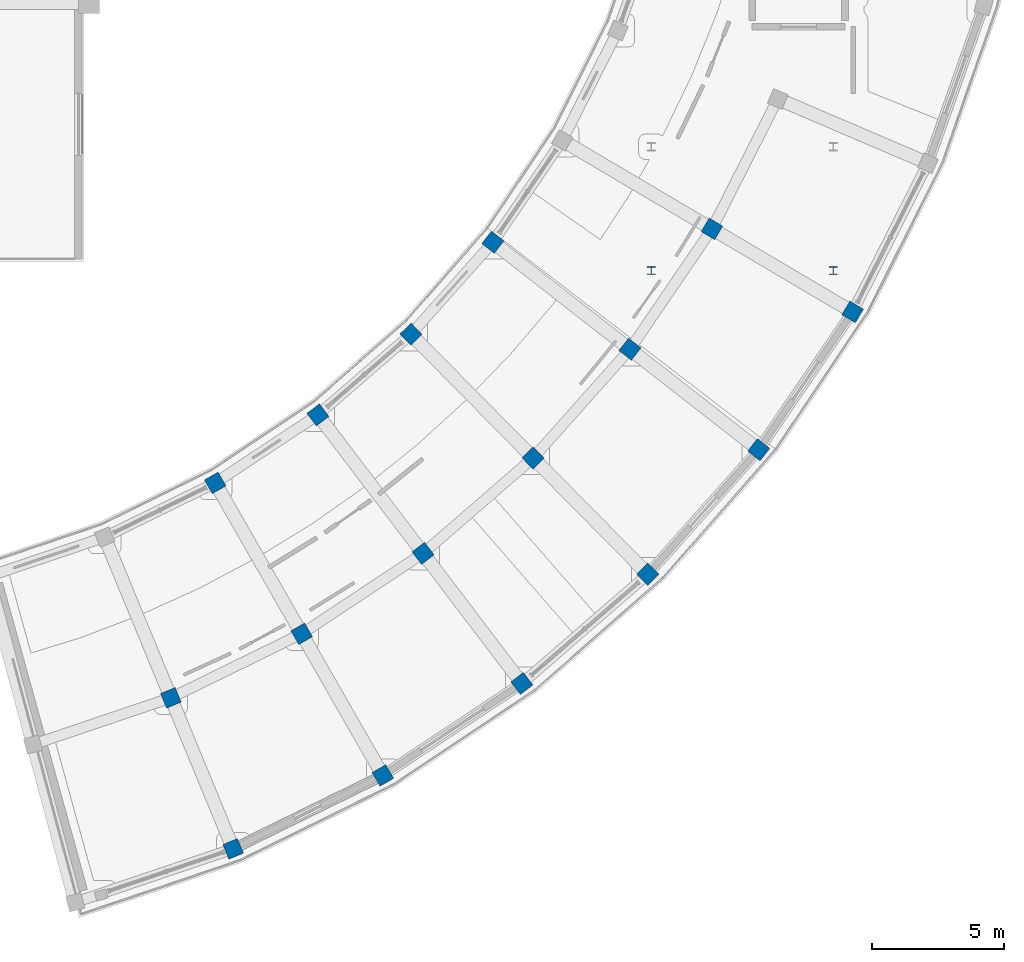
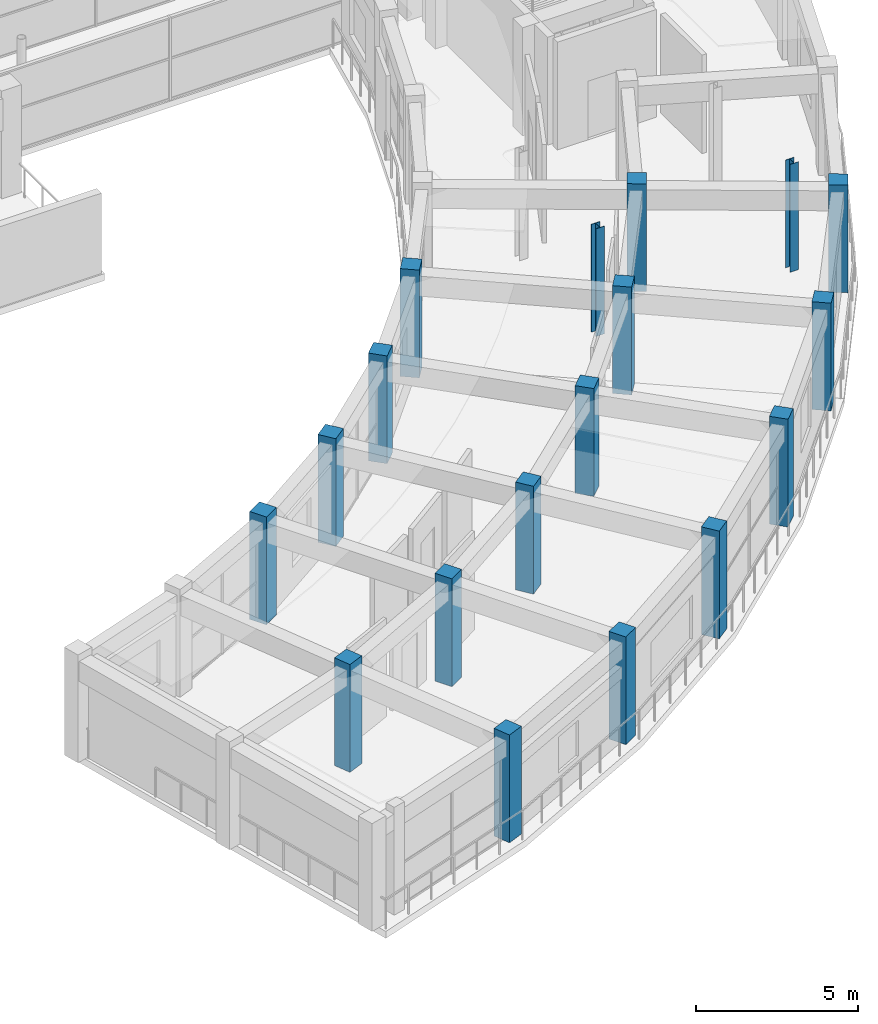
# One storey, part 5 of 70: 18 columns.
"""IFC4 building model written with IfcOpenShell, lengths in metres."""

from ifc_helpers import new_model, si_unit, direction, frame, origin, origin_2d, place, context, subcontext, project, spatial, rectangle, i_section, extrude, material, material_profile, profile_set, type_object, element, save


model = new_model("IFC4")

# Units and contexts
model_context = context("Model", 3, precision=1e-05, world=origin(), true_north=direction((0.0, 1.0)))
body_context = subcontext(model_context, "Body", "Model", "MODEL_VIEW")
ifc_project = project(units=[si_unit("LENGTHUNIT", "METRE"), si_unit("AREAUNIT", "SQUARE_METRE"), si_unit("VOLUMEUNIT", "CUBIC_METRE"), si_unit("PLANEANGLEUNIT", "RADIAN"), si_unit("MASSUNIT", "GRAM", prefix="KILO")], contexts=[model_context])

# Site, building, storey
site_placement = place(None, origin())
site = spatial("IfcSite", under=ifc_project, at=site_placement, CompositionType="ELEMENT")
building_placement = place(site_placement, origin())
building = spatial("IfcBuilding", under=site, at=building_placement, Name="Saryqyr Civic Hall", CompositionType="ELEMENT")
storey_placement = place(building_placement, frame((0.0, 0.0, 13.199951171875)))
storey = spatial("IfcBuildingStorey", under=building, at=storey_placement, Name="L03", CompositionType="ELEMENT", Elevation=13.199951171875)

# Columns
ifc_material_1 = material(Name="Steel S355", Category="steel")
ifc_material_profile_1 = material_profile(ifc_material_1, i_section(OverallWidth=0.300048828125, OverallDepth=0.2900390625, WebThickness=0.008544921875, FlangeThickness=0.013916015625, at=origin_2d()), Name="HEA 300")
ifc_profile_set_1 = profile_set([ifc_material_profile_1], Name="Steel S355")
column_type_1 = type_object("IfcColumnType", Name="STR-COL-HEA300-S355", PredefinedType="COLUMN", material=ifc_profile_set_1)
for number, where, z_axis, x_axis, name in (
    (1, (91.550048828125, 60.64990234375, 0.0), (0.0, 0.0, 1.0), (1.0, 0.0, 0.0), "Column RGV5-COL-1-L03"),
    (2, (98.449951171875, 60.64990234375, 0.0), (0.0, 0.0, 1.0), (1.0, 0.0, 0.0), "Column RGV5-COL-2-L03"),
):
    element("IfcColumn", number, at=place(storey_placement, frame(where, z_axis=z_axis, x_axis=x_axis)), inside=storey, type_object=column_type_1, Name=name, PredefinedType="COLUMN", context=body_context, shape_type="SweptSolid", body=[
        extrude(i_section(OverallWidth=0.300048828125, OverallDepth=0.2900390625, WebThickness=0.008544921875, FlangeThickness=0.013916015625, at=origin_2d()), origin(), (0.0, 0.0, 1.0), 4.050048828125),
    ])
ifc_material_2 = material(Name="Concrete C40/50", Category="concrete")
ifc_material_profile_2 = material_profile(ifc_material_2, rectangle(XDim=0.60009765625, YDim=0.60009765625, at=origin_2d()), Name="RC 600x600")
ifc_profile_set_2 = profile_set([ifc_material_profile_2], Name="Concrete C40/50")
column_type_2 = type_object("IfcColumnType", Name="STR-COL-RC600-C40", PredefinedType="COLUMN", material=ifc_profile_set_2)
for number, where, z_axis, x_axis, name in (
    (3, (73.313232421875, 44.430908203125, 0.0), (0.0, 0.0, 1.0), (0.38107037635, -0.924546033612, 0.0), "Column V5-COL-MID01-L03"),
    (4, (75.676513671875, 38.698974609375, 0.0), (0.0, 0.0, 1.0), (0.38107037635, -0.924546033612, 0.0), "Column V5-COL-OUT01-L03"),
    (5, (74.995849609375, 52.590087890625, 0.0), (0.0, 0.0, 1.0), (0.4971254071, -0.867678701833, 0.0), "Column V5-COL-IN02-L03"),
    (6, (78.277099609375, 46.86328125, 0.0), (0.0, 0.0, 1.0), (0.4971254071, -0.867678701833, 0.0), "Column V5-COL-MID02-L03"),
    (7, (81.359130859375, 41.483642578125, 0.0), (0.0, 0.0, 1.0), (0.4971254071, -0.867678701833, 0.0), "Column V5-COL-OUT02-L03"),
    (8, (78.89404296875, 55.17138671875, 0.0), (0.0, 0.0, 1.0), (0.604877119416, -0.796318824597, 0.0), "Column V5-COL-IN03-L03"),
    (9, (82.8857421875, 49.915283203125, 0.0), (0.0, 0.0, 1.0), (0.604877119416, -0.796318824597, 0.0), "Column V5-COL-MID03-L03"),
    (10, (86.635498046875, 44.977783203125, 0.0), (0.0, 0.0, 1.0), (0.604877119416, -0.796318824597, 0.0), "Column V5-COL-OUT03-L03"),
    (11, (82.427001953125, 58.2333984375, 0.0), (0.0, 0.0, 1.0), (0.70240155419, -0.711780904964, 0.0), "Column V5-COL-IN04-L03"),
    (12, (87.062744140625, 53.535888671875, 0.0), (0.0, 0.0, 1.0), (0.70240155419, -0.711780904964, 0.0), "Column V5-COL-MID04-L03"),
    (13, (91.417724609375, 49.122802734375, 0.0), (0.0, 0.0, 1.0), (0.70240155419, -0.711780904964, 0.0), "Column V5-COL-OUT04-L03"),
    (14, (85.53564453125, 61.7255859375, 0.0), (0.0, 0.0, 1.0), (0.78822561199, -0.615386370179, 0.0), "Column V5-COL-IN05-L03"),
    (15, (90.73828125, 57.664306640625, 0.0), (0.0, 0.0, 1.0), (0.78822561199, -0.615386370179, 0.0), "Column V5-COL-MID05-L03"),
    (16, (95.625732421875, 53.849365234375, 0.0), (0.0, 0.0, 1.0), (0.78822561199, -0.615386370179, 0.0), "Column V5-COL-OUT05-L03"),
    (17, (93.851318359375, 62.232421875, 0.0), (0.0, 0.0, 1.0), (0.861008442465, -0.508590662521, 0.0), "Column V5-COL-MID06-L03"),
    (18, (99.189453125, 59.0791015625, 0.0), (0.0, 0.0, 1.0), (0.861008442465, -0.508590662521, 0.0), "Column V5-COL-OUT06-L03"),
):
    element("IfcColumn", number, at=place(storey_placement, frame(where, z_axis=z_axis, x_axis=x_axis)), inside=storey, type_object=column_type_2, Name=name, PredefinedType="COLUMN", context=body_context, shape_type="SweptSolid", body=[
        extrude(rectangle(XDim=0.60009765625, YDim=0.60009765625, at=origin_2d()), origin(), (0.0, 0.0, 1.0), 4.050048828125),
    ])

save(model, "model.ifc")
